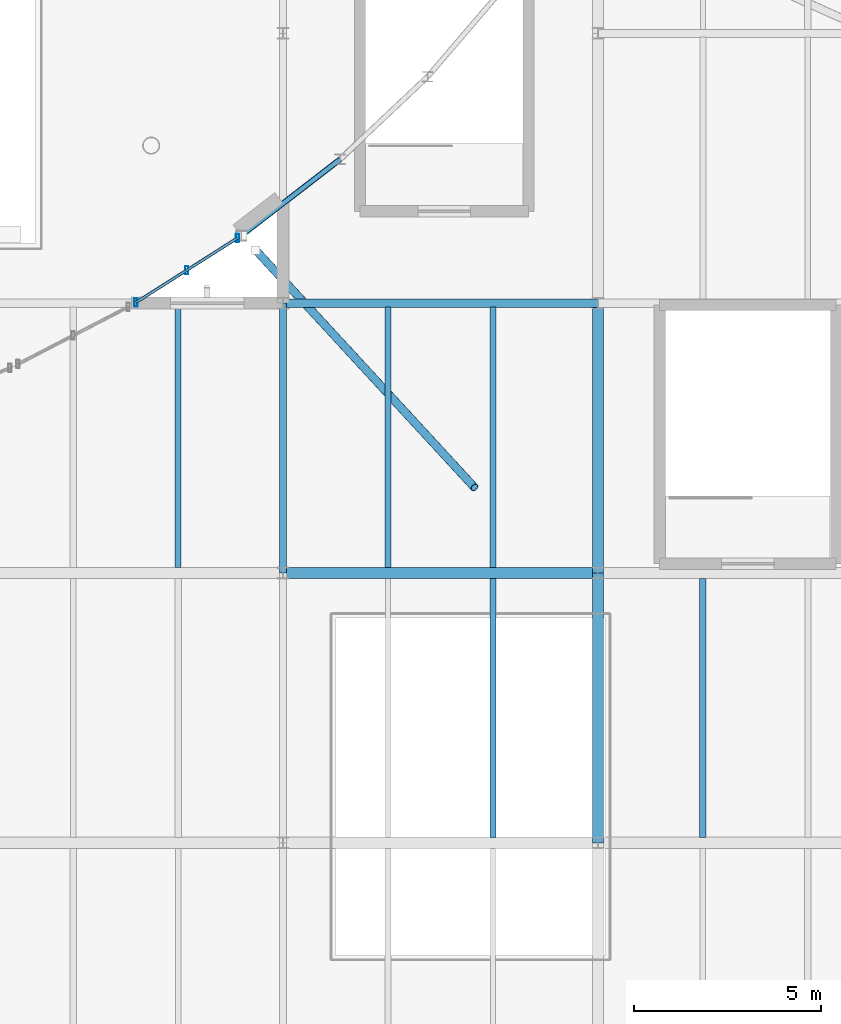
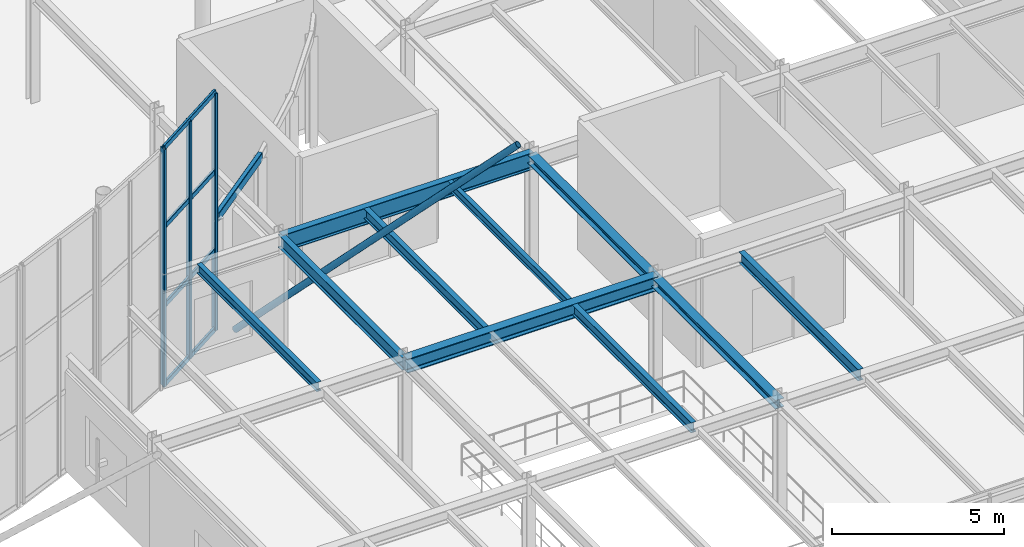
# One storey, part 29 of 109: 11 beams, 8 members, 1 element without a shape of its own.
"""IFC4 building model written with IfcOpenShell, lengths in metres."""

from ifc_helpers import new_model, si_unit, derived_unit, direction, frame, origin, origin_2d, place, context, subcontext, project, spatial, hollow_rectangle, hollow_circle, i_section, extrude, material, material_profile, profile_set, type_object, element, aggregate, save


model = new_model("IFC4")

# Units and contexts
model_context = context("Model", 3, precision=1e-05, world=origin(), true_north=direction((0.0, 1.0)))
body_context = subcontext(model_context, "Body", "Model", "MODEL_VIEW")
ifc_project = project(units=[si_unit("LENGTHUNIT", "METRE"), si_unit("AREAUNIT", "SQUARE_METRE"), si_unit("VOLUMEUNIT", "CUBIC_METRE"), si_unit("PLANEANGLEUNIT", "RADIAN"), si_unit("MASSUNIT", "GRAM", prefix="KILO"), derived_unit("THERMALTRANSMITTANCEUNIT", [(si_unit("MASSUNIT", "GRAM", prefix="KILO"), 1), (si_unit("TIMEUNIT", "SECOND"), -3), (si_unit("THERMODYNAMICTEMPERATUREUNIT", "KELVIN"), -1)])], contexts=[model_context])

# Site, building, storey
site_placement = place(None, origin())
site = spatial("IfcSite", under=ifc_project, at=site_placement, CompositionType="ELEMENT")
building_placement = place(site_placement, origin())
building = spatial("IfcBuilding", under=site, at=building_placement, Name="Kharveza Railside Sports Centre", CompositionType="ELEMENT")
storey_placement = place(building_placement, frame((0.0, 0.0, 4.5)))
storey = spatial("IfcBuildingStorey", under=building, at=storey_placement, Name="L01", CompositionType="ELEMENT", Elevation=4.5)

# Beams
ifc_material_1 = material(Name="Steel S355J2", Category="steel")
ifc_material_profile_1 = material_profile(ifc_material_1, i_section(OverallWidth=0.219970703125, OverallDepth=0.60009765625, WebThickness=0.011962890625, FlangeThickness=0.01904296875, FilletRadius=0.02392578125, at=origin_2d()), Name="IPE 600")
ifc_profile_set_1 = profile_set([ifc_material_profile_1], Name="Steel S355J2")
beam_type_1 = type_object("IfcBeamType", Name="BM-G01", PredefinedType="T_BEAM", material=ifc_profile_set_1)
beam_1_placement = place(storey_placement, frame((84.0, 28.800048828125, 3.699951171875), z_axis=(1.0, 0.0, 0.0), x_axis=(0.0, 1.0, 0.0)))
element("IfcBeam", 1, at=beam_1_placement, inside=storey, type_object=beam_type_1, Name="BM-EW-L01-B01-X840-Y288", PredefinedType="T_BEAM", context=body_context, shape_type="SweptSolid", body=[
    extrude(i_section(OverallWidth=0.219970703125, OverallDepth=0.60009765625, WebThickness=0.011962890625, FlangeThickness=0.01904296875, FilletRadius=0.02392578125, at=origin_2d()), origin(), (0.0, 0.0, 1.0), 8.39990234375),
])
ifc_material_profile_2 = material_profile(ifc_material_1, i_section(OverallWidth=0.18994140625, OverallDepth=0.449951171875, WebThickness=0.009521484375, FlangeThickness=0.0146484375, FilletRadius=0.02099609375, at=origin_2d()), Name="IPE 450")
ifc_profile_set_2 = profile_set([ifc_material_profile_2], Name="Steel S355J2")
beam_type_2 = type_object("IfcBeamType", Name="BM-G04", PredefinedType="T_BEAM", material=ifc_profile_set_2)
beam_2_placement = place(storey_placement, frame((84.0, 21.60009765625, 3.77490234375), z_axis=(0.0, 1.0, 0.0), x_axis=(-1.0, 0.0, 0.0)))
element("IfcBeam", 2, at=beam_2_placement, inside=storey, type_object=beam_type_2, Name="BM-NS-L01-B04-X840-Y216", PredefinedType="T_BEAM", context=body_context, shape_type="SweptSolid", body=[
    extrude(i_section(OverallWidth=0.18994140625, OverallDepth=0.449951171875, WebThickness=0.009521484375, FlangeThickness=0.0146484375, FilletRadius=0.02099609375, at=origin_2d()), origin(), (0.0, 0.0, 1.0), 7.199951171875),
])
ifc_material_profile_3 = material_profile(ifc_material_1, i_section(OverallWidth=0.300048828125, OverallDepth=0.5, WebThickness=0.014404296875, FlangeThickness=0.028076171875, FilletRadius=0.027099609375, at=origin_2d()), Name="HEB 500")
ifc_profile_set_3 = profile_set([ifc_material_profile_3], Name="Steel S355J2")
beam_type_3 = type_object("IfcBeamType", Name="BM-G05", PredefinedType="T_BEAM", material=ifc_profile_set_3)
beam_3_placement = place(storey_placement, frame((84.0, 21.60009765625, 3.75), z_axis=(1.0, 0.0, 0.0), x_axis=(0.0, 1.0, 0.0)))
element("IfcBeam", 3, at=beam_3_placement, inside=storey, type_object=beam_type_3, Name="BM-EW-L01-B05-X840-Y216", PredefinedType="T_BEAM", context=body_context, shape_type="SweptSolid", body=[
    extrude(i_section(OverallWidth=0.300048828125, OverallDepth=0.5, WebThickness=0.014404296875, FlangeThickness=0.028076171875, FilletRadius=0.027099609375, at=origin_2d()), origin(), (0.0, 0.0, 1.0), 8.39990234375),
])
ifc_material_profile_4 = material_profile(ifc_material_1, i_section(OverallWidth=0.179931640625, OverallDepth=0.39990234375, WebThickness=0.008544921875, FlangeThickness=0.013427734375, FilletRadius=0.02099609375, at=origin_2d()), Name="IPE 400")
ifc_profile_set_4 = profile_set([ifc_material_profile_4], Name="Steel S355J2")
beam_type_4 = type_object("IfcBeamType", Name="BM-S01", PredefinedType="BEAM", material=ifc_profile_set_4)
beam_4_placement = place(storey_placement, frame((95.199951171875, 14.547119140625, 3.719970703125), z_axis=(0.0, 1.0, 0.0), x_axis=(-1.0, 0.0, 0.0)))
element("IfcBeam", 4, at=beam_4_placement, inside=storey, type_object=beam_type_4, Name="BM-SEC-L01-B09-X952-Y144", PredefinedType="BEAM", context=body_context, shape_type="SweptSolid", body=[
    extrude(i_section(OverallWidth=0.179931640625, OverallDepth=0.39990234375, WebThickness=0.008544921875, FlangeThickness=0.013427734375, FilletRadius=0.02099609375, at=origin_2d()), origin(), (0.0, 0.0, 1.0), 6.90576171875),
])
ifc_material_profile_5 = material_profile(ifc_material_1, i_section(OverallWidth=0.169921875, OverallDepth=0.360107421875, WebThickness=0.008056640625, FlangeThickness=0.0126953125, FilletRadius=0.01806640625, at=origin_2d()), Name="IPE 360")
ifc_profile_set_5 = profile_set([ifc_material_profile_5], Name="Steel S355J2")
beam_type_5 = type_object("IfcBeamType", Name="BM-S02", PredefinedType="BEAM", material=ifc_profile_set_5)
beam_5_placement = place(storey_placement, frame((89.60009765625, 14.547119140625, 3.820068359375), z_axis=(0.0, 1.0, 0.0), x_axis=(-1.0, 0.0, 0.0)))
element("IfcBeam", 5, at=beam_5_placement, inside=storey, type_object=beam_type_5, Name="BM-SEC-L01-B10-X896-Y144", PredefinedType="BEAM", context=body_context, shape_type="SweptSolid", body=[
    extrude(i_section(OverallWidth=0.169921875, OverallDepth=0.360107421875, WebThickness=0.008056640625, FlangeThickness=0.0126953125, FilletRadius=0.01806640625, at=origin_2d()), origin(), (0.0, 0.0, 1.0), 6.90576171875),
])
beam_6_placement = place(storey_placement, frame((86.800048828125, 21.7470703125, 3.820068359375), z_axis=(0.0, 1.0, 0.0), x_axis=(-1.0, 0.0, 0.0)))
element("IfcBeam", 6, at=beam_6_placement, inside=storey, type_object=beam_type_5, Name="BM-SEC-L01-B10-X868-Y216", PredefinedType="BEAM", context=body_context, shape_type="SweptSolid", body=[
    extrude(i_section(OverallWidth=0.169921875, OverallDepth=0.360107421875, WebThickness=0.008056640625, FlangeThickness=0.0126953125, FilletRadius=0.01806640625, at=origin_2d()), origin(), (0.0, 0.0, 1.0), 6.946044921875),
])
ifc_material_profile_6 = material_profile(ifc_material_1, i_section(OverallWidth=0.159912109375, OverallDepth=0.330078125, WebThickness=0.007568359375, FlangeThickness=0.011474609375, FilletRadius=0.01806640625, at=origin_2d()), Name="IPE 330")
ifc_profile_set_6 = profile_set([ifc_material_profile_6], Name="Steel S355J2")
beam_type_6 = type_object("IfcBeamType", Name="BM-S03", PredefinedType="BEAM", material=ifc_profile_set_6)
beam_7_placement = place(storey_placement, frame((81.199951171875, 21.7470703125, 3.8349609375), z_axis=(0.0, 1.0, 0.0), x_axis=(-1.0, 0.0, 0.0)))
element("IfcBeam", 7, at=beam_7_placement, inside=storey, type_object=beam_type_6, Name="BM-SEC-L01-B11-X812-Y216", PredefinedType="BEAM", context=body_context, shape_type="SweptSolid", body=[
    extrude(i_section(OverallWidth=0.159912109375, OverallDepth=0.330078125, WebThickness=0.007568359375, FlangeThickness=0.011474609375, FilletRadius=0.01806640625, at=origin_2d()), origin(), (0.0, 0.0, 1.0), 6.946044921875),
])
ifc_material_profile_7 = material_profile(ifc_material_1, i_section(OverallWidth=0.14990234375, OverallDepth=0.300048828125, WebThickness=0.007080078125, FlangeThickness=0.0107421875, FilletRadius=0.014892578125, at=origin_2d()), Name="IPE 300")
ifc_profile_set_7 = profile_set([ifc_material_profile_7], Name="Steel S355J2")
beam_type_7 = type_object("IfcBeamType", Name="BM-S04", PredefinedType="BEAM", material=ifc_profile_set_7)
beam_8_placement = place(storey_placement, frame((89.60009765625, 21.7470703125, 3.85009765625), z_axis=(0.0, 1.0, 0.0), x_axis=(-1.0, 0.0, 0.0)))
element("IfcBeam", 8, at=beam_8_placement, inside=storey, type_object=beam_type_7, Name="BM-SEC-L01-B12-X896-Y216", PredefinedType="BEAM", context=body_context, shape_type="SweptSolid", body=[
    extrude(i_section(OverallWidth=0.14990234375, OverallDepth=0.300048828125, WebThickness=0.007080078125, FlangeThickness=0.0107421875, FilletRadius=0.014892578125, at=origin_2d()), origin(), (0.0, 0.0, 1.0), 6.946044921875),
])
ifc_material_profile_8 = material_profile(ifc_material_1, i_section(OverallWidth=0.300048828125, OverallDepth=0.31005859375, WebThickness=0.009033203125, FlangeThickness=0.015380859375, FilletRadius=0.027099609375, at=origin_2d()), Name="HEA 320")
ifc_profile_set_8 = profile_set([ifc_material_profile_8], Name="Steel S355J2")
beam_type_8 = type_object("IfcBeamType", Name="BM-S06", PredefinedType="BEAM", material=ifc_profile_set_8)
beam_9_placement = place(storey_placement, frame((92.39990234375, 14.39990234375, 3.764892578125), z_axis=(0.0, 1.0, 0.0), x_axis=(-1.0, 0.0, 0.0)))
element("IfcBeam", 9, at=beam_9_placement, inside=storey, type_object=beam_type_8, Name="BM-NS-L01-B14-X924-Y144", PredefinedType="BEAM", context=body_context, shape_type="SweptSolid", body=[
    extrude(i_section(OverallWidth=0.300048828125, OverallDepth=0.31005859375, WebThickness=0.009033203125, FlangeThickness=0.015380859375, FilletRadius=0.027099609375, at=origin_2d()), origin(), (0.0, 0.0, 1.0), 7.2001953125),
])
beam_10_placement = place(storey_placement, frame((92.39990234375, 21.60009765625, 3.764892578125), z_axis=(0.0, 1.0, 0.0), x_axis=(-1.0, 0.0, 0.0)))
element("IfcBeam", 10, at=beam_10_placement, inside=storey, type_object=beam_type_8, Name="BM-NS-L01-B14-X924-Y216", PredefinedType="BEAM", context=body_context, shape_type="SweptSolid", body=[
    extrude(i_section(OverallWidth=0.300048828125, OverallDepth=0.31005859375, WebThickness=0.009033203125, FlangeThickness=0.015380859375, FilletRadius=0.027099609375, at=origin_2d()), origin(), (0.0, 0.0, 1.0), 7.199951171875),
])
ifc_material_profile_9 = material_profile(ifc_material_1, hollow_rectangle(XDim=0.14990234375, YDim=0.300048828125, WallThickness=0.012451171875, InnerFilletRadius=0.012451171875, OuterFilletRadius=0.02490234375, at=origin_2d()), Name="RHS 150x300x12.5")
ifc_profile_set_9 = profile_set([ifc_material_profile_9], Name="Steel S355J2")
beam_type_9 = type_object("IfcBeamType", Name="BM-SP03", PredefinedType="SPANDREL", material=ifc_profile_set_9)
beam_11_placement = place(storey_placement, frame((82.88427734375, 30.60107421875, 3.8798828125), z_axis=(0.791459061119, 0.611222181022, 0.0), x_axis=(-0.611222181022, 0.791459061119, 0.0)))
element("IfcBeam", 11, at=beam_11_placement, inside=storey, type_object=beam_type_9, Name="BM-DCLER-SILL-57", PredefinedType="SPANDREL", context=body_context, shape_type="SweptSolid", body=[
    extrude(hollow_rectangle(XDim=0.14990234375, YDim=0.300048828125, WallThickness=0.012451171875, InnerFilletRadius=0.012451171875, OuterFilletRadius=0.02490234375, at=origin_2d()), origin(), (0.0, 0.0, 1.0), 3.330810546875),
])

# Curtain wall, members
ifc_material_2 = material(Name="Low-E solar-control laminated glass", Category="glass")
curtain_wall_type = type_object("IfcCurtainWallType", Name="CW-DR01", PredefinedType="NOTDEFINED", material=ifc_material_2)
curtain_wall_placement = place(storey_placement, origin())
curtain_wall = element("IfcCurtainWall", 12, at=curtain_wall_placement, inside=storey, type_object=curtain_wall_type, Name="CW-DRUM-56", PredefinedType="NOTDEFINED")
ifc_material_3 = material(Name="Anodised aluminium 6063-T6", Category="aluminium")
ifc_material_profile_10 = material_profile(ifc_material_3, hollow_rectangle(XDim=0.090087890625, YDim=0.219970703125, WallThickness=0.008056640625, InnerFilletRadius=0.008056640625, OuterFilletRadius=0.01611328125, at=origin_2d()), Name="RHS 90x220x8.0")
ifc_profile_set_10 = profile_set([ifc_material_profile_10], Name="Anodised aluminium 6063-T6")
member_type_1 = type_object("IfcMemberType", Name="CW-ML01", PredefinedType="MULLION", material=ifc_profile_set_10)
member_1_placement = place(storey_placement, frame((80.0771484375, 28.820068359375, 0.0), z_axis=(0.0, 0.0, 1.0), x_axis=(1.0, 0.0, 0.0)))
member_1 = element("IfcMember", 13, at=member_1_placement, type_object=member_type_1, Name="CW-DRUM-56-ML1", PredefinedType="MULLION", context=body_context, shape_type="SweptSolid", body=[
    extrude(hollow_rectangle(XDim=0.090087890625, YDim=0.219970703125, WallThickness=0.008056640625, InnerFilletRadius=0.008056640625, OuterFilletRadius=0.01611328125, at=origin_2d()), origin(), (0.0, 0.0, 1.0), 8.39990234375),
])
member_2_placement = place(storey_placement, frame((81.429931640625, 29.678466796875, 0.0), z_axis=(0.0, 0.0, 1.0), x_axis=(1.0, 0.0, 0.0)))
member_2 = element("IfcMember", 14, at=member_2_placement, type_object=member_type_1, Name="CW-DRUM-56-ML2", PredefinedType="MULLION", context=body_context, shape_type="SweptSolid", body=[
    extrude(hollow_rectangle(XDim=0.090087890625, YDim=0.219970703125, WallThickness=0.008056640625, InnerFilletRadius=0.008056640625, OuterFilletRadius=0.01611328125, at=origin_2d()), origin(), (0.0, 0.0, 1.0), 8.39990234375),
])
member_3_placement = place(storey_placement, frame((82.782958984375, 30.53662109375, 0.0), z_axis=(0.0, 0.0, 1.0), x_axis=(1.0, 0.0, 0.0)))
member_3 = element("IfcMember", 15, at=member_3_placement, type_object=member_type_1, Name="CW-DRUM-56-ML3", PredefinedType="MULLION", context=body_context, shape_type="SweptSolid", body=[
    extrude(hollow_rectangle(XDim=0.090087890625, YDim=0.219970703125, WallThickness=0.008056640625, InnerFilletRadius=0.008056640625, OuterFilletRadius=0.01611328125, at=origin_2d()), origin(), (0.0, 0.0, 1.0), 8.39990234375),
])
ifc_material_profile_11 = material_profile(ifc_material_3, hollow_rectangle(XDim=0.080078125, YDim=0.179931640625, WallThickness=0.00634765625, InnerFilletRadius=0.00634765625, OuterFilletRadius=0.0126953125, at=origin_2d()), Name="RHS 80x180x6.3")
ifc_profile_set_11 = profile_set([ifc_material_profile_11], Name="Anodised aluminium 6063-T6")
member_type_2 = type_object("IfcMemberType", Name="CW-TR01", PredefinedType="USERDEFINED", material=ifc_profile_set_11)
member_4_placement = place(storey_placement, frame((80.0771484375, 28.820068359375, 0.0), z_axis=(0.844413594372, 0.535691778582, 0.0), x_axis=(-0.535691778582, 0.844413594372, 0.0)))
member_4 = element("IfcMember", 16, at=member_4_placement, type_object=member_type_2, Name="CW-DRUM-56-TR1", ObjectType="TRANSOM", PredefinedType="USERDEFINED", context=body_context, shape_type="SweptSolid", body=[
    extrude(hollow_rectangle(XDim=0.080078125, YDim=0.179931640625, WallThickness=0.00634765625, InnerFilletRadius=0.00634765625, OuterFilletRadius=0.0126953125, at=origin_2d()), origin(), (0.0, 0.0, 1.0), 3.204345703125),
])
member_5_placement = place(storey_placement, frame((80.0771484375, 28.820068359375, 2.800048828125), z_axis=(0.844413594372, 0.535691778582, 0.0), x_axis=(-0.535691778582, 0.844413594372, 0.0)))
member_5 = element("IfcMember", 17, at=member_5_placement, type_object=member_type_2, Name="CW-DRUM-56-TR2", ObjectType="TRANSOM", PredefinedType="USERDEFINED", context=body_context, shape_type="SweptSolid", body=[
    extrude(hollow_rectangle(XDim=0.080078125, YDim=0.179931640625, WallThickness=0.00634765625, InnerFilletRadius=0.00634765625, OuterFilletRadius=0.0126953125, at=origin_2d()), origin(), (0.0, 0.0, 1.0), 3.204345703125),
])
member_6_placement = place(storey_placement, frame((80.0771484375, 28.820068359375, 5.60009765625), z_axis=(0.844413594372, 0.535691778582, 0.0), x_axis=(-0.535691778582, 0.844413594372, 0.0)))
member_6 = element("IfcMember", 18, at=member_6_placement, type_object=member_type_2, Name="CW-DRUM-56-TR3", ObjectType="TRANSOM", PredefinedType="USERDEFINED", context=body_context, shape_type="SweptSolid", body=[
    extrude(hollow_rectangle(XDim=0.080078125, YDim=0.179931640625, WallThickness=0.00634765625, InnerFilletRadius=0.00634765625, OuterFilletRadius=0.0126953125, at=origin_2d()), origin(), (0.0, 0.0, 1.0), 3.204345703125),
])
member_7_placement = place(storey_placement, frame((80.0771484375, 28.820068359375, 8.39990234375), z_axis=(0.844413594372, 0.535691778582, 0.0), x_axis=(-0.535691778582, 0.844413594372, 0.0)))
member_7 = element("IfcMember", 19, at=member_7_placement, type_object=member_type_2, Name="CW-DRUM-56-TR4", ObjectType="TRANSOM", PredefinedType="USERDEFINED", context=body_context, shape_type="SweptSolid", body=[
    extrude(hollow_rectangle(XDim=0.080078125, YDim=0.179931640625, WallThickness=0.00634765625, InnerFilletRadius=0.00634765625, OuterFilletRadius=0.0126953125, at=origin_2d()), origin(), (0.0, 0.0, 1.0), 3.204345703125),
])
aggregate(curtain_wall, [member_1, member_2, member_3, member_4, member_5, member_6, member_7])

# Member
ifc_material_profile_12 = material_profile(ifc_material_1, hollow_circle(Radius=0.109619140625, WallThickness=0.012451171875, at=origin_2d()), Name="CHS 219.1x12.5")
ifc_profile_set_12 = profile_set([ifc_material_profile_12], Name="Steel S355J2")
member_type_3 = type_object("IfcMemberType", Name="MB-ST01", PredefinedType="STRUT", material=ifc_profile_set_12)
member_8_placement = place(storey_placement, frame((83.273193359375, 30.212158203125, 0.0), z_axis=(0.486453896254, -0.527741604532, 0.696312721172), x_axis=(0.735283928712, 0.67775920811, 0.0)))
element("IfcMember", 20, at=member_8_placement, inside=storey, type_object=member_type_3, Name="MB-RAKER-LID-15", PredefinedType="STRUT", context=body_context, shape_type="SweptSolid", body=[
    extrude(hollow_circle(Radius=0.109619140625, WallThickness=0.012451171875, at=origin_2d()), origin(), (0.0, 0.0, 1.0), 11.991943359375),
])

save(model, "model.ifc")
